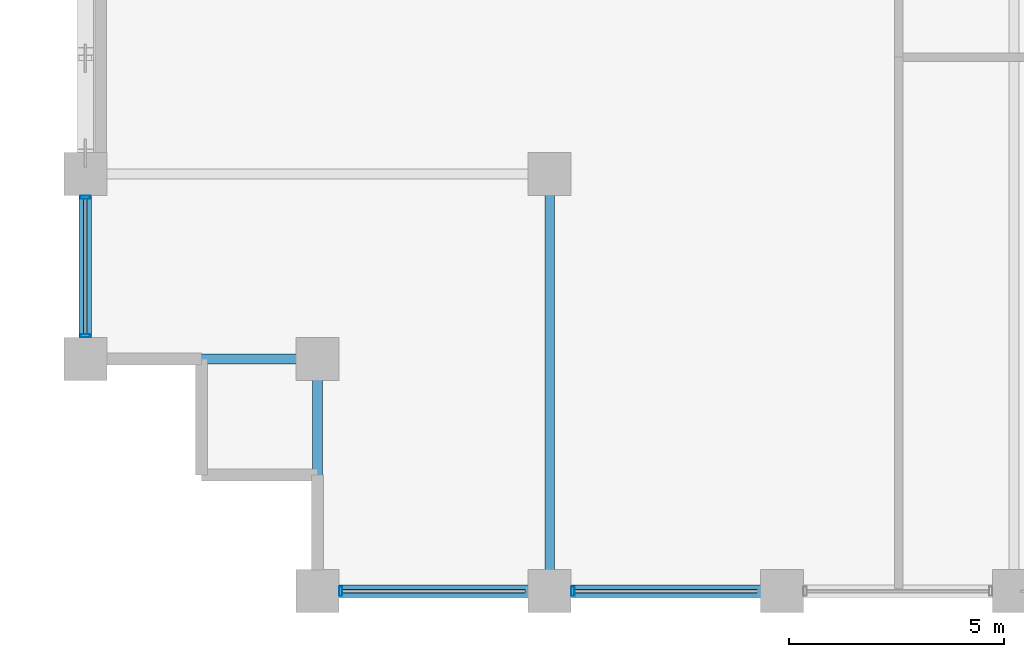
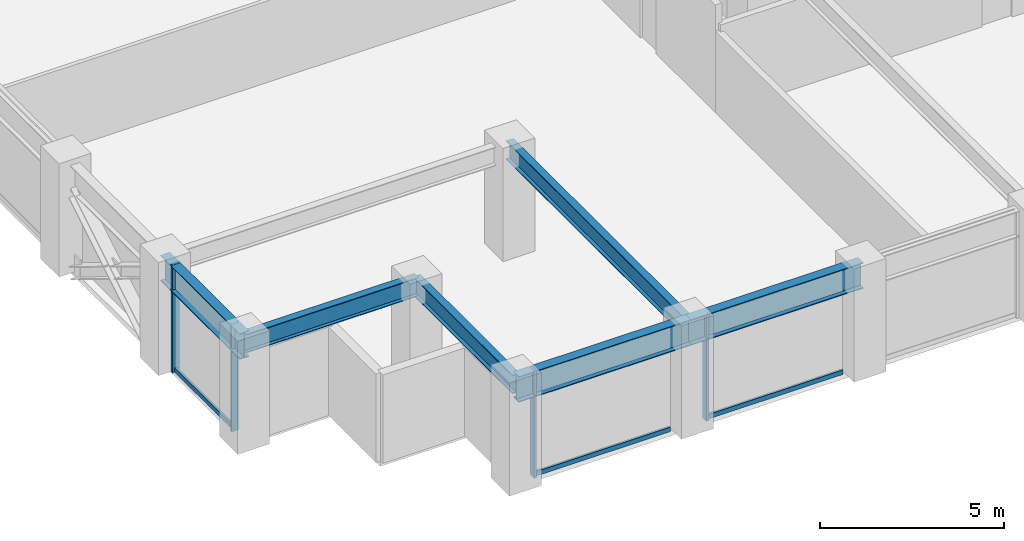
# One storey, part 2 of 26: 7 members, 6 beams, 2 elements without a shape of their own.
"""IFC4 building model written with IfcOpenShell, lengths in metres."""

from ifc_helpers import new_model, si_unit, direction, frame, origin, origin_2d, place, context, subcontext, project, spatial, hollow_rectangle, i_section, extrude, material, layer, layer_set, material_profile, profile_set, type_object, element, aggregate, save


model = new_model("IFC4")

# Units and contexts
model_context = context("Model", 3, precision=1e-05, world=origin(), true_north=direction((0.0, 1.0)))
body_context = subcontext(model_context, "Body", "Model", "MODEL_VIEW")
ifc_project = project(units=[si_unit("LENGTHUNIT", "METRE"), si_unit("AREAUNIT", "SQUARE_METRE"), si_unit("VOLUMEUNIT", "CUBIC_METRE"), si_unit("PLANEANGLEUNIT", "RADIAN"), si_unit("MASSUNIT", "GRAM", prefix="KILO")], contexts=[model_context])

# Site, building, storey
site_placement = place(None, origin())
site = spatial("IfcSite", under=ifc_project, at=site_placement, CompositionType="ELEMENT")
building_placement = place(site_placement, origin())
building = spatial("IfcBuilding", under=site, at=building_placement, Name="Surkhivell Harbour Commons", CompositionType="ELEMENT")
storey_placement = place(building_placement, frame((0.0, 0.0, 147.0)))
storey = spatial("IfcBuildingStorey", under=building, at=storey_placement, Name="L38", CompositionType="ELEMENT", Elevation=147.0)

# Beams
ifc_material_1 = material(Name="Steel S355", Category="steel")
ifc_material_profile_1 = material_profile(ifc_material_1, i_section(OverallWidth=0.22998046875, OverallDepth=0.616943359375, WebThickness=0.01318359375, FlangeThickness=0.022216796875, at=origin_2d()), Name="UB610x229x140")
ifc_profile_set_1 = profile_set([ifc_material_profile_1], Name="Steel S355")
beam_type_1 = type_object("IfcBeamType", Name="BM-GRD-610B", PredefinedType="BEAM", material=ifc_profile_set_1)
for number, where, z_axis, x_axis, name in (
    (1, (-32.39990234375, -20.5, 3.261474609375), (1.0, 0.0, 0.0), (0.0, 1.0, 0.0), "L38 Floor Girder (-32.4,-20.5)"),
    (2, (-27.0, -25.89990234375, 3.261474609375), (0.0, 1.0, 0.0), (-1.0, 0.0, 0.0), "L38 Floor Girder (-27.0,-25.9)"),
):
    element("IfcBeam", number, at=place(storey_placement, frame(where, z_axis=z_axis, x_axis=x_axis)), inside=storey, type_object=beam_type_1, Name=name, PredefinedType="BEAM", context=body_context, shape_type="SweptSolid", body=[
        extrude(i_section(OverallWidth=0.22998046875, OverallDepth=0.616943359375, WebThickness=0.01318359375, FlangeThickness=0.022216796875, at=origin_2d()), origin(), (0.0, 0.0, 1.0), 5.39990234375),
    ])
beam_1_placement = place(storey_placement, frame((-21.60009765625, -25.89990234375, 3.261474609375), z_axis=(0.0, 1.0, 0.0), x_axis=(-1.0, 0.0, 0.0)))
element("IfcBeam", 3, at=beam_1_placement, inside=storey, type_object=beam_type_1, Name="L38 Floor Girder (-21.6,-25.9)", PredefinedType="BEAM", context=body_context, shape_type="SweptSolid", body=[
    extrude(i_section(OverallWidth=0.22998046875, OverallDepth=0.616943359375, WebThickness=0.01318359375, FlangeThickness=0.022216796875, at=origin_2d()), origin(), (0.0, 0.0, 1.0), 9.699951171875),
])
ifc_material_2 = material(Name="Steel S460", Category="steel")
ifc_material_profile_2 = material_profile(ifc_material_2, i_section(OverallWidth=0.2939453125, OverallDepth=0.85107421875, WebThickness=0.01611328125, FlangeThickness=0.02685546875, at=origin_2d()), Name="UB838x292x226")
ifc_profile_set_2 = profile_set([ifc_material_profile_2], Name="Steel S460")
beam_type_2 = type_object("IfcBeamType", Name="BM-SPN-838", PredefinedType="SPANDREL", material=ifc_profile_set_2)
beam_2_placement = place(storey_placement, frame((-32.39990234375, -20.5, 3.14453125), z_axis=(0.0, 1.0, 0.0), x_axis=(-1.0, 0.0, 0.0)))
element("IfcBeam", 4, at=beam_2_placement, inside=storey, type_object=beam_type_2, Name="L38 Tube Spandrel (-32.4,-20.5)", PredefinedType="SPANDREL", context=body_context, shape_type="SweptSolid", body=[
    extrude(i_section(OverallWidth=0.2939453125, OverallDepth=0.85107421875, WebThickness=0.01611328125, FlangeThickness=0.02685546875, at=origin_2d()), origin(), (0.0, 0.0, 1.0), 4.300048828125),
])
beam_3_placement = place(storey_placement, frame((-27.0, -25.89990234375, 3.14453125), z_axis=(1.0, 0.0, 0.0), x_axis=(0.0, 1.0, 0.0)))
element("IfcBeam", 5, at=beam_3_placement, inside=storey, type_object=beam_type_2, Name="L38 Tube Spandrel (-27.0,-25.9)", PredefinedType="SPANDREL", context=body_context, shape_type="SweptSolid", body=[
    extrude(i_section(OverallWidth=0.2939453125, OverallDepth=0.85107421875, WebThickness=0.01611328125, FlangeThickness=0.02685546875, at=origin_2d()), origin(), (0.0, 0.0, 1.0), 5.39990234375),
])
beam_4_placement = place(storey_placement, frame((-21.60009765625, -25.89990234375, 3.14453125), z_axis=(1.0, 0.0, 0.0), x_axis=(0.0, 1.0, 0.0)))
element("IfcBeam", 6, at=beam_4_placement, inside=storey, type_object=beam_type_2, Name="L38 Tube Spandrel (-21.6,-25.9)", PredefinedType="SPANDREL", context=body_context, shape_type="SweptSolid", body=[
    extrude(i_section(OverallWidth=0.2939453125, OverallDepth=0.85107421875, WebThickness=0.01611328125, FlangeThickness=0.02685546875, at=origin_2d()), origin(), (0.0, 0.0, 1.0), 5.400146484375),
])

# Curtain wall, members
ifc_material_3 = material(Name="Anodised pale-metal aluminium and insulated glazing", Category="aluminium")
ifc_layer = layer(ifc_material_3, 0.205078125)
ifc_layer_set = layer_set([ifc_layer], Name="Anodised pale-metal aluminium and insulated glazing")
curtain_wall_type = type_object("IfcCurtainWallType", Name="CW-SYS-Z2", PredefinedType="NOTDEFINED", material=ifc_layer_set)
curtain_wall_1_placement = place(storey_placement, origin())
curtain_wall_1 = element("IfcCurtainWall", 7, at=curtain_wall_1_placement, inside=storey, type_object=curtain_wall_type, Name="L38 Curtain Wall CW-L38-E00S1", PredefinedType="NOTDEFINED")
ifc_material_4 = material(Name="Anodised pale-metal aluminium alloy 6063-T6", Category="aluminium")
ifc_material_profile_3 = material_profile(ifc_material_4, hollow_rectangle(XDim=0.074951171875, YDim=0.219970703125, WallThickness=0.00390625, at=origin_2d()), Name="ALU-MULL-75x220")
ifc_profile_set_3 = profile_set([ifc_material_profile_3], Name="Anodised pale-metal aluminium alloy 6063-T6")
member_type_1 = type_object("IfcMemberType", Name="CWM-220", PredefinedType="MULLION", material=ifc_profile_set_3)
member_1_placement = place(storey_placement, frame((-26.46044921875, -25.89990234375, 0.0), z_axis=(0.0, 0.0, 1.0), x_axis=(1.0, 0.0, 0.0)))
member_1 = element("IfcMember", 8, at=member_1_placement, type_object=member_type_1, Name="CW-Z2 mullion 1", PredefinedType="MULLION", context=body_context, shape_type="SweptSolid", body=[
    extrude(hollow_rectangle(XDim=0.074951171875, YDim=0.219970703125, WallThickness=0.00390625, at=origin_2d()), origin(), (0.0, 0.0, 1.0), 3.570068359375),
])
member_2_placement = place(storey_placement, frame((-21.060546875, -25.89990234375, 0.0), z_axis=(0.0, 0.0, 1.0), x_axis=(1.0, 0.0, 0.0)))
member_2 = element("IfcMember", 9, at=member_2_placement, type_object=member_type_1, Name="CW-Z2 mullion 2", PredefinedType="MULLION", context=body_context, shape_type="SweptSolid", body=[
    extrude(hollow_rectangle(XDim=0.074951171875, YDim=0.219970703125, WallThickness=0.00390625, at=origin_2d()), origin(), (0.0, 0.0, 1.0), 3.570068359375),
])

curtain_wall_2_placement = place(storey_placement, origin())
curtain_wall_2 = element("IfcCurtainWall", 10, at=curtain_wall_2_placement, inside=storey, type_object=curtain_wall_type, Name="L38 Curtain Wall CW-L38-E12R1S1", PredefinedType="NOTDEFINED")
member_3_placement = place(storey_placement, frame((-32.39990234375, -19.96044921875, 0.0), z_axis=(0.0, 0.0, 1.0), x_axis=(0.0, 1.0, 0.0)))
member_3 = element("IfcMember", 11, at=member_3_placement, type_object=member_type_1, Name="CW-Z2 mullion 1", PredefinedType="MULLION", context=body_context, shape_type="SweptSolid", body=[
    extrude(hollow_rectangle(XDim=0.074951171875, YDim=0.219970703125, WallThickness=0.00390625, at=origin_2d()), origin(), (0.0, 0.0, 1.0), 3.570068359375),
])
member_4_placement = place(storey_placement, frame((-32.39990234375, -16.739501953125, 0.0), z_axis=(0.0, 0.0, 1.0), x_axis=(0.0, 1.0, 0.0)))
member_4 = element("IfcMember", 12, at=member_4_placement, type_object=member_type_1, Name="CW-Z2 mullion 2", PredefinedType="MULLION", context=body_context, shape_type="SweptSolid", body=[
    extrude(hollow_rectangle(XDim=0.074951171875, YDim=0.219970703125, WallThickness=0.00390625, at=origin_2d()), origin(), (0.0, 0.0, 1.0), 3.570068359375),
])

# Member
ifc_material_profile_4 = material_profile(ifc_material_4, hollow_rectangle(XDim=0.074951171875, YDim=0.14990234375, WallThickness=0.00341796875, at=origin_2d()), Name="ALU-TRAN-75x150")
ifc_profile_set_4 = profile_set([ifc_material_profile_4], Name="Anodised pale-metal aluminium alloy 6063-T6")
member_type_2 = type_object("IfcMemberType", Name="CWT-150", PredefinedType="USERDEFINED", material=ifc_profile_set_4)
member_5_placement = place(storey_placement, frame((-26.423095703125, -25.89990234375, 0.074951171875), z_axis=(1.0, 0.0, 0.0), x_axis=(0.0, 1.0, 0.0)))
member_5 = element("IfcMember", 13, at=member_5_placement, type_object=member_type_2, Name="CW-Z2 transom 1.1", ObjectType="TRANSOM", PredefinedType="USERDEFINED", context=body_context, shape_type="SweptSolid", body=[
    extrude(hollow_rectangle(XDim=0.074951171875, YDim=0.14990234375, WallThickness=0.00341796875, at=origin_2d()), origin(), (0.0, 0.0, 1.0), 4.24609375),
])

member_6_placement = place(storey_placement, frame((-21.02294921875, -25.89990234375, 0.074951171875), z_axis=(1.0, 0.0, 0.0), x_axis=(0.0, 1.0, 0.0)))
member_6 = element("IfcMember", 14, at=member_6_placement, type_object=member_type_2, Name="CW-Z2 transom 2.1", ObjectType="TRANSOM", PredefinedType="USERDEFINED", context=body_context, shape_type="SweptSolid", body=[
    extrude(hollow_rectangle(XDim=0.074951171875, YDim=0.14990234375, WallThickness=0.00341796875, at=origin_2d()), origin(), (0.0, 0.0, 1.0), 4.245849609375),
])

aggregate(curtain_wall_1, [member_1, member_5, member_2, member_6])

member_7_placement = place(storey_placement, frame((-32.39990234375, -19.923095703125, 0.074951171875), z_axis=(0.0, 1.0, 0.0), x_axis=(-1.0, 0.0, 0.0)))
member_7 = element("IfcMember", 15, at=member_7_placement, type_object=member_type_2, Name="CW-Z2 transom 1.1", ObjectType="TRANSOM", PredefinedType="USERDEFINED", context=body_context, shape_type="SweptSolid", body=[
    extrude(hollow_rectangle(XDim=0.074951171875, YDim=0.14990234375, WallThickness=0.00341796875, at=origin_2d()), origin(), (0.0, 0.0, 1.0), 3.14599609375),
])

aggregate(curtain_wall_2, [member_3, member_4, member_7])

save(model, "model.ifc")
